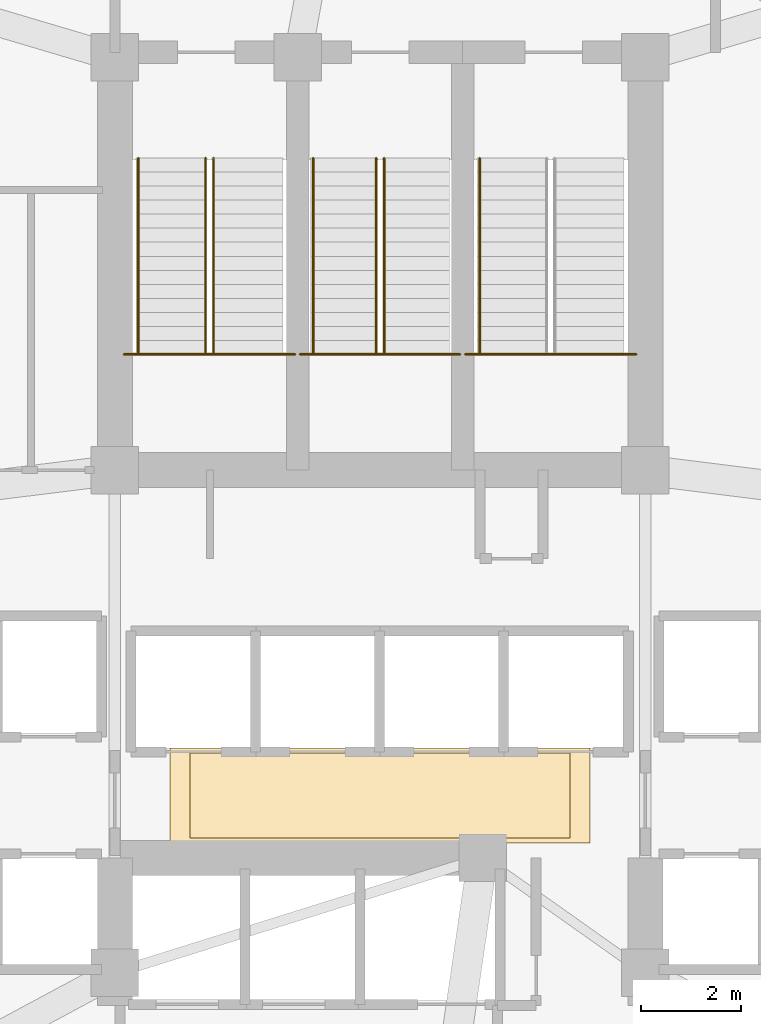
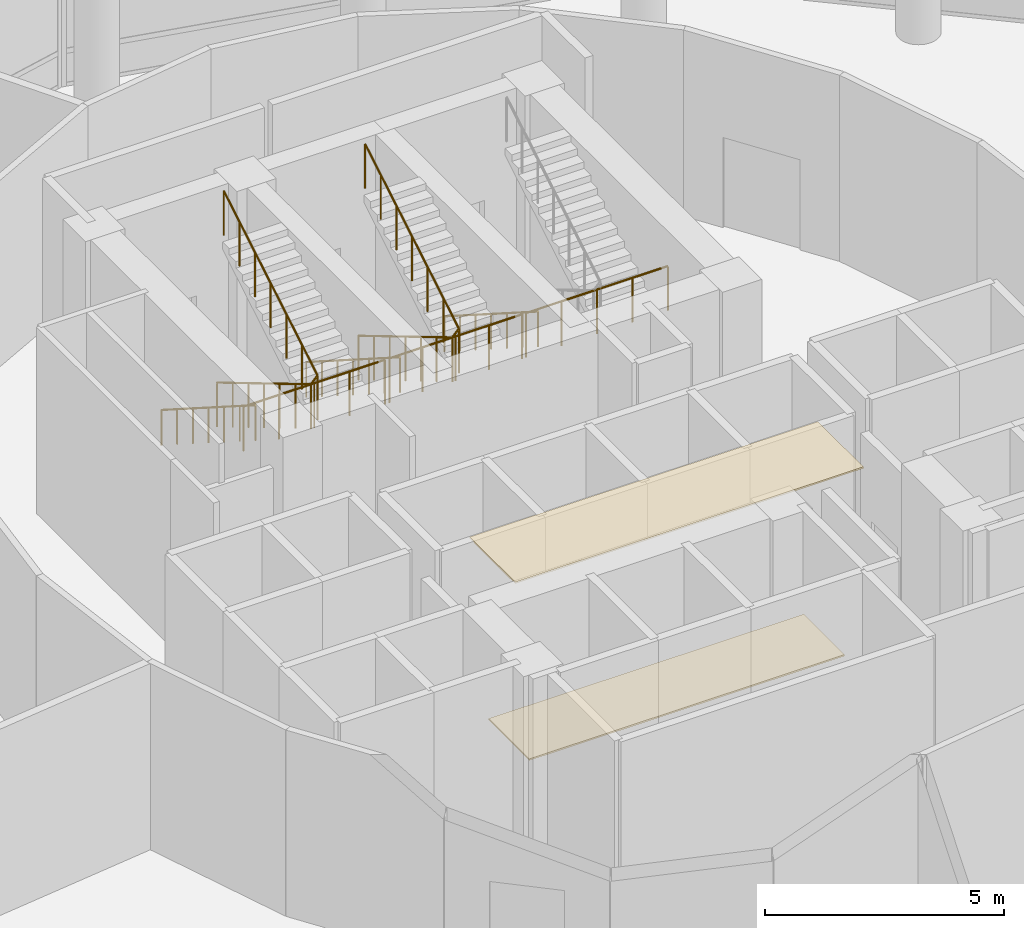
# One storey, part 28 of 29: 8 railings, 2 coverings.
"""IFC4 building model written with IfcOpenShell, lengths in metres."""

import ifcopenshell
import ifcopenshell.guid

model = None  # the IFC model being written
_history = None  # IfcOwnerHistory: only IFC2X3 demands one
_inside = {}  # id of a spatial element -> (the spatial element, [elements in it])
_under = {}  # id of a project, library or spatial element -> (it, [spatial elements below it])
_declared = {}  # id of a project -> (the project, [libraries it declares])
_typed = {}  # id of a type object -> (the type object, [elements of that type])
_made_of = {}  # id of a material, layer set ... -> (it, [elements and type objects made of it])


def new_model(schema):
    """Start an empty IFC model of exactly this schema.

    Asked for "IFC4X3", IfcOpenShell would pick the latest addendum, in which some entities
    have other attributes; the version numbers below select the first issue.
    IFC2X3 requires an IfcOwnerHistory on every rooted entity: one is made here for all.
    """
    global model, _history
    if schema == "IFC4X3":
        model = ifcopenshell.file(schema_version=(4, 3, 0, 0))
    else:
        model = ifcopenshell.file(schema=schema)
    _inside.clear()
    _under.clear()
    _declared.clear()
    _typed.clear()
    _made_of.clear()
    _history = None
    if model.schema == "IFC2X3":
        org = make("IfcOrganization", Name="unknown")
        user = make(
            "IfcPersonAndOrganization",
            ThePerson=make("IfcPerson", FamilyName="unknown"),
            TheOrganization=org,
        )
        app = make(
            "IfcApplication",
            ApplicationDeveloper=org,
            Version="unknown",
            ApplicationFullName="unknown",
            ApplicationIdentifier="unknown",
        )
        _history = make(
            "IfcOwnerHistory",
            OwningUser=user,
            OwningApplication=app,
            ChangeAction="ADDED",
            CreationDate=0,
        )
    return model


def make(cls, **values):
    """One entity of the class cls with the attributes given. An attribute that is None is left unset."""
    return model.create_entity(
        cls, **{name: value for name, value in values.items() if value is not None}
    )


def rooted(cls, **values):
    """An entity with a GlobalId (a new one), such as an element, a storey or a relation."""
    return make(cls, GlobalId=ifcopenshell.guid.new(), OwnerHistory=_history, **values)


def si_unit(unit_type, name, prefix=None):
    """IfcSIUnit, for example si_unit("LENGTHUNIT", "METRE", prefix="MILLI")."""
    return make("IfcSIUnit", UnitType=unit_type, Prefix=prefix, Name=name)


def assignment(units):
    """IfcUnitAssignment: the units of a project."""
    return None if units is None else make("IfcUnitAssignment", Units=units)


def point(xyz):
    """IfcCartesianPoint."""
    return None if xyz is None else make("IfcCartesianPoint", Coordinates=xyz)


def direction(xyz):
    """IfcDirection."""
    return None if xyz is None else make("IfcDirection", DirectionRatios=xyz)


def frame(location, z_axis=None, x_axis=None):
    """IfcAxis2Placement3D, a coordinate frame: its origin and axes. An axis left out is left unset."""
    return make(
        "IfcAxis2Placement3D",
        Location=point(location),
        Axis=direction(z_axis),
        RefDirection=direction(x_axis),
    )


def origin():
    """The frame at (0, 0, 0) with its axes left unset."""
    return frame((0.0, 0.0, 0.0))


def place(relative_to, where):
    """IfcLocalPlacement: puts the frame where relative to a parent placement (None: the world)."""
    return make(
        "IfcLocalPlacement", PlacementRelTo=relative_to, RelativePlacement=where
    )


def context(
    kind, dimensions, precision=None, world=None, true_north=None, identifier=None
):
    """IfcGeometricRepresentationContext, for example the 3D "Model" context."""
    return make(
        "IfcGeometricRepresentationContext",
        ContextIdentifier=identifier,
        ContextType=kind,
        CoordinateSpaceDimension=dimensions,
        Precision=precision,
        WorldCoordinateSystem=world,
        TrueNorth=true_north,
    )


def subcontext(parent, identifier, kind, view, scale=None):
    """IfcGeometricRepresentationSubContext, for example "Body" below "Model"."""
    return make(
        "IfcGeometricRepresentationSubContext",
        ContextIdentifier=identifier,
        ContextType=kind,
        ParentContext=parent,
        TargetScale=scale,
        TargetView=view,
    )


def project(units=None, contexts=None):
    """IfcProject with its units and contexts."""
    return rooted(
        "IfcProject",
        Name="project",
        RepresentationContexts=contexts,
        UnitsInContext=assignment(units),
    )


def spatial(cls, under=None, at=None, **own):
    """A site, building, storey or space (cls), placed at a placement, below another one or the project."""
    s = rooted(cls, ObjectPlacement=at, **own)
    if under is not None:
        _under.setdefault(under.id(), (under, []))[1].append(s)
    return s


def polyline(points):
    """IfcPolyline through the points."""
    return make("IfcPolyline", Points=[point(p) for p in points])


def outline(outer, holes=None, kind="AREA"):
    """IfcArbitraryClosedProfileDef: a profile drawn as a closed curve; with holes, ...WithVoids."""
    if holes is None:
        return make("IfcArbitraryClosedProfileDef", ProfileType=kind, OuterCurve=outer)
    return make(
        "IfcArbitraryProfileDefWithVoids",
        ProfileType=kind,
        OuterCurve=outer,
        InnerCurves=holes,
    )


def extrude(swept, where, along, depth):
    """IfcExtrudedAreaSolid: the profile swept, set in the frame where, extruded along a direction by depth."""
    return make(
        "IfcExtrudedAreaSolid",
        SweptArea=swept,
        Position=where,
        ExtrudedDirection=direction(along),
        Depth=depth,
    )


def shape(context_of_items, identifier, shape_type, items):
    """IfcShapeRepresentation: the items that make up one representation, for example the "Body"."""
    return make(
        "IfcShapeRepresentation",
        ContextOfItems=context_of_items,
        RepresentationIdentifier=identifier,
        RepresentationType=shape_type,
        Items=items,
    )


def material(Name=None, Category=None):
    """IfcMaterial."""
    return make("IfcMaterial", Name=Name, Category=Category)


def layer(
    of_material, thickness, ventilated=None, Name=None, Category=None, Priority=None
):
    """IfcMaterialLayer: one layer of a wall or slab, of a material (None: an air gap)."""
    return make(
        "IfcMaterialLayer",
        Material=of_material,
        LayerThickness=thickness,
        IsVentilated=ventilated,
        Name=Name,
        Category=Category,
        Priority=Priority,
    )


def layer_set(layers, Name=None):
    """IfcMaterialLayerSet."""
    return make("IfcMaterialLayerSet", MaterialLayers=layers, LayerSetName=Name)


def made_of(thing, what):
    """Note that an element or type object is made of a material, layer set ...; save() writes the relation."""
    if what is not None:
        _made_of.setdefault(what.id(), (what, []))[1].append(thing)
    return thing


def type_object(cls, material=None, **own):
    """A type object (cls), such as IfcWallType, which elements share."""
    return made_of(rooted(cls, **own), material)


def element(
    cls,
    number,
    at=None,
    inside=None,
    cuts=None,
    type_object=None,
    material=None,
    context=None,
    identifier="Body",
    shape_type=None,
    held_by="IfcProductDefinitionShape",
    body=None,
    shapes=None,
    **own,
):
    """One element of the class cls, such as IfcWall. Its Tag is "e" and its number.

    at: its placement. inside: the storey or other place that contains it. cuts: it is an
    opening in that element (IfcRelVoidsElement). A single representation is given by context,
    identifier, shape_type and body (its items); several are given by shapes. held_by: the class
    of the entity that holds the representations. save() writes the other relations.
    """
    e = rooted(cls, Tag="e%d" % number, ObjectPlacement=at, **own)
    if body is not None:
        shapes = [shape(context, identifier, shape_type, body)]
    if shapes is not None:
        e.Representation = make(held_by, Representations=shapes)
    if inside is not None:
        _inside.setdefault(inside.id(), (inside, []))[1].append(e)
    if cuts is not None:
        rooted(
            "IfcRelVoidsElement", RelatingBuildingElement=cuts, RelatedOpeningElement=e
        )
    if type_object is not None:
        _typed.setdefault(type_object.id(), (type_object, []))[1].append(e)
    return made_of(e, material)


def aggregate(whole, parts):
    """IfcRelAggregates: a whole, such as a stair, and the parts it consists of."""
    return rooted("IfcRelAggregates", RelatingObject=whole, RelatedObjects=parts)


def save(model, path):
    """Write the relations noted so far, then the file.

    IfcRelAggregates (storeys below a building ...), IfcRelContainedInSpatialStructure (elements
    in a storey), IfcRelDefinesByType, IfcRelAssociatesMaterial and IfcRelDeclares: one each for
    every whole, place, type object, material and project.
    """
    for whole, parts in _under.values():
        aggregate(whole, parts)
    for where, things in _inside.values():
        rooted(
            "IfcRelContainedInSpatialStructure",
            RelatedElements=things,
            RelatingStructure=where,
        )
    for kind, things in _typed.values():
        rooted("IfcRelDefinesByType", RelatedObjects=things, RelatingType=kind)
    for what, things in _made_of.values():
        rooted("IfcRelAssociatesMaterial", RelatedObjects=things, RelatingMaterial=what)
    for by, libraries in _declared.values():
        rooted("IfcRelDeclares", RelatingContext=by, RelatedDefinitions=libraries)
    model.write(path)


model = new_model("IFC4")

# Units and contexts
model_context = context("Model", 3, precision=1e-05, world=origin(), true_north=direction((0.0, 1.0)))
body_context = subcontext(model_context, "Body", "Model", "MODEL_VIEW")
ifc_project = project(units=[si_unit("LENGTHUNIT", "METRE"), si_unit("AREAUNIT", "SQUARE_METRE"), si_unit("VOLUMEUNIT", "CUBIC_METRE"), si_unit("PLANEANGLEUNIT", "RADIAN"), si_unit("MASSUNIT", "GRAM", prefix="KILO")], contexts=[model_context])

# Site, building, storey
site_placement = place(None, origin())
site = spatial("IfcSite", under=ifc_project, at=site_placement, CompositionType="ELEMENT")
building_placement = place(site_placement, origin())
building = spatial("IfcBuilding", under=site, at=building_placement, Name="Nuhasar Tower", CompositionType="ELEMENT")
storey_placement = place(building_placement, frame((0.0, 0.0, 113.25)))
storey = spatial("IfcBuildingStorey", under=building, at=storey_placement, Name="L26", CompositionType="ELEMENT", Elevation=113.25)

# Coverings
ifc_material_1 = material(Name="Mineral Fibre Acoustic", Category="insulation")
ifc_layer_1 = layer(ifc_material_1, 0.0400390625)
ifc_layer_set_1 = layer_set([ifc_layer_1], Name="Mineral Fibre Acoustic")
covering_type_1 = type_object("IfcCoveringType", Name="COV-CEIL-AC60", PredefinedType="CEILING", material=ifc_layer_set_1)
covering_1_placement = place(storey_placement, frame((0.0, 0.0, 4.7099609375)))
element("IfcCovering", 1, at=covering_1_placement, inside=storey, type_object=covering_type_1, Name="L26 Lift Lobby Acoustic Ceiling", PredefinedType="CEILING", context=body_context, shape_type="SweptSolid", body=[
    extrude(outline(polyline([(34.800048828125, 21.60009765625), (43.199951171875, 21.60009765625), (43.199951171875, 23.5), (34.800048828125, 23.5), (34.800048828125, 21.60009765625)])), origin(), (0.0, 0.0, 1.0), 0.0400390625),
])
ifc_material_2 = material(Name="Granite Stone Tile", Category="masonry")
ifc_layer_2 = layer(ifc_material_2, 0.0400390625)
ifc_layer_set_2 = layer_set([ifc_layer_2], Name="Granite Stone Tile")
covering_type_2 = type_object("IfcCoveringType", Name="COV-FLR-STN40", PredefinedType="FLOORING", material=ifc_layer_set_2)
covering_2_placement = place(storey_placement, origin())
element("IfcCovering", 2, at=covering_2_placement, inside=storey, type_object=covering_type_2, Name="L26 Granite Lobby Flooring", PredefinedType="FLOORING", context=body_context, shape_type="SweptSolid", body=[
    extrude(outline(polyline([(35.199951171875, 21.699951171875), (42.800048828125, 21.699951171875), (42.800048828125, 23.39990234375), (35.199951171875, 23.39990234375), (35.199951171875, 21.699951171875)])), origin(), (0.0, 0.0, 1.0), 0.0400390625),
])

# Railings
ifc_material_3 = material(Name="Steel S355", Category="steel")
railing_type_1 = type_object("IfcRailingType", Name="RLG-STAIR-GUARD-1150", PredefinedType="GUARDRAIL", material=ifc_material_3)
railing_1_placement = place(storey_placement, frame((33.8798828125, 31.364990234375, 2.5)))
element("IfcRailing", 3, at=railing_1_placement, inside=storey, type_object=railing_type_1, Name="L26 Stair ST-01 Guardrail LND", PredefinedType="GUARDRAIL", context=body_context, shape_type="SweptSolid", body=[
    extrude(outline(polyline([(0.024169921875, 0.0), (0.01708984375, 0.01708984375), (0.0, 0.024169921875), (-0.01708984375, 0.01708984375), (-0.024169921875, 0.0), (-0.01708984375, -0.01708984375), (0.0, -0.024169921875), (0.01708984375, -0.01708984375), (0.024169921875, 0.0)])), frame((0.0, 0.0, 1.1259765625), z_axis=(1.0, 0.0, 0.0), x_axis=(0.0, 1.0, 0.0)), (0.0, 0.0, 1.0), 3.420166015625),
    extrude(outline(polyline([(0.02099609375, 0.0), (0.014892578125, 0.014892578125), (0.0, 0.02099609375), (-0.014892578125, 0.014892578125), (-0.02099609375, 0.0), (-0.014892578125, -0.014892578125), (0.0, -0.02099609375), (0.014892578125, -0.014892578125), (0.02099609375, 0.0)])), origin(), (0.0, 0.0, 1.0), 1.101806640625),
    extrude(outline(polyline([(0.02099609375, 0.0), (0.014892578125, 0.014892578125), (0.0, 0.02099609375), (-0.014892578125, 0.014892578125), (-0.02099609375, 0.0), (-0.014892578125, -0.014892578125), (0.0, -0.02099609375), (0.014892578125, -0.014892578125), (0.02099609375, 0.0)])), frame((0.85498046875, 0.0, 0.0)), (0.0, 0.0, 1.0), 1.101806640625),
    extrude(outline(polyline([(0.02099609375, 0.0), (0.014892578125, 0.014892578125), (0.0, 0.02099609375), (-0.014892578125, 0.014892578125), (-0.02099609375, 0.0), (-0.014892578125, -0.014892578125), (0.0, -0.02099609375), (0.014892578125, -0.014892578125), (0.02099609375, 0.0)])), frame((1.7099609375, 0.0, 0.0)), (0.0, 0.0, 1.0), 1.101806640625),
    extrude(outline(polyline([(0.02099609375, 0.0), (0.014892578125, 0.014892578125), (0.0, 0.02099609375), (-0.014892578125, 0.014892578125), (-0.02099609375, 0.0), (-0.014892578125, -0.014892578125), (0.0, -0.02099609375), (0.014892578125, -0.014892578125), (0.02099609375, 0.0)])), frame((2.565185546875, 0.0, 0.0)), (0.0, 0.0, 1.0), 1.101806640625),
    extrude(outline(polyline([(0.02099609375, 0.0), (0.014892578125, 0.014892578125), (0.0, 0.02099609375), (-0.014892578125, 0.014892578125), (-0.02099609375, 0.0), (-0.014892578125, -0.014892578125), (0.0, -0.02099609375), (0.014892578125, -0.014892578125), (0.02099609375, 0.0)])), frame((3.420166015625, 0.0, 0.0)), (0.0, 0.0, 1.0), 1.101806640625),
])
railing_2_placement = place(storey_placement, frame((35.510009765625, 35.284912109375, 0.1669921875)))
element("IfcRailing", 4, at=railing_2_placement, inside=storey, type_object=railing_type_1, Name="L26 Stair ST-01 Guardrail SLT", PredefinedType="GUARDRAIL", context=body_context, shape_type="SweptSolid", body=[
    extrude(outline(polyline([(0.024169921875, 0.0), (0.01708984375, 0.01708984375), (0.0, 0.024169921875), (-0.01708984375, 0.01708984375), (-0.024169921875, 0.0), (-0.01708984375, -0.01708984375), (0.0, -0.024169921875), (0.01708984375, -0.01708984375), (0.024169921875, 0.0)])), frame((0.0, 0.0, 1.1259765625), z_axis=(0.0, -0.85931976652, 0.511438695121), x_axis=(1.0, 0.0, 0.0)), (0.0, 0.0, 1.0), 4.561767578125),
    extrude(outline(polyline([(0.024169921875, 0.0), (0.01708984375, 0.01708984375), (0.0, 0.024169921875), (-0.01708984375, 0.01708984375), (-0.024169921875, 0.0), (-0.01708984375, -0.01708984375), (0.0, -0.024169921875), (0.01708984375, -0.01708984375), (0.024169921875, 0.0)])), frame((0.0, -3.919921875, 3.458984375), z_axis=(0.691630103864, 0.0, 0.722251894722), x_axis=(0.0, 1.0, 0.0)), (0.0, 0.0, 1.0), 0.231201171875),
    extrude(outline(polyline([(0.024169921875, 0.0), (0.01708984375, 0.01708984375), (0.0, 0.024169921875), (-0.01708984375, 0.01708984375), (-0.024169921875, 0.0), (-0.01708984375, -0.01708984375), (0.0, -0.024169921875), (0.01708984375, -0.01708984375), (0.024169921875, 0.0)])), frame((0.159912109375, -3.919921875, 3.6259765625), z_axis=(0.0, 0.85931976652, 0.511438695121), x_axis=(-1.0, 0.0, 0.0)), (0.0, 0.0, 1.0), 4.561767578125),
    extrude(outline(polyline([(0.02099609375, 0.0), (0.014892578125, 0.014892578125), (0.0, 0.02099609375), (-0.014892578125, 0.014892578125), (-0.02099609375, 0.0), (-0.014892578125, -0.014892578125), (0.0, -0.02099609375), (0.014892578125, -0.014892578125), (0.02099609375, 0.0)])), origin(), (0.0, 0.0, 1.0), 1.101806640625),
    extrude(outline(polyline([(0.02099609375, 0.0), (0.014892578125, 0.014892578125), (0.0, 0.02099609375), (-0.014892578125, 0.014892578125), (-0.02099609375, 0.0), (-0.014892578125, -0.014892578125), (0.0, -0.02099609375), (0.014892578125, -0.014892578125), (0.02099609375, 0.0)])), frame((0.0, -0.6533203125, 0.388916015625)), (0.0, 0.0, 1.0), 1.101806640625),
    extrude(outline(polyline([(0.02099609375, 0.0), (0.014892578125, 0.014892578125), (0.0, 0.02099609375), (-0.014892578125, 0.014892578125), (-0.02099609375, 0.0), (-0.014892578125, -0.014892578125), (0.0, -0.02099609375), (0.014892578125, -0.014892578125), (0.02099609375, 0.0)])), frame((0.0, -1.306640625, 0.777587890625)), (0.0, 0.0, 1.0), 1.101806640625),
    extrude(outline(polyline([(0.02099609375, 0.0), (0.014892578125, 0.014892578125), (0.0, 0.02099609375), (-0.014892578125, 0.014892578125), (-0.02099609375, 0.0), (-0.014892578125, -0.014892578125), (0.0, -0.02099609375), (0.014892578125, -0.014892578125), (0.02099609375, 0.0)])), frame((0.0, -1.9599609375, 1.16650390625)), (0.0, 0.0, 1.0), 1.101806640625),
    extrude(outline(polyline([(0.02099609375, 0.0), (0.014892578125, 0.014892578125), (0.0, 0.02099609375), (-0.014892578125, 0.014892578125), (-0.02099609375, 0.0), (-0.014892578125, -0.014892578125), (0.0, -0.02099609375), (0.014892578125, -0.014892578125), (0.02099609375, 0.0)])), frame((0.0, -2.61328125, 1.555419921875)), (0.0, 0.0, 1.0), 1.101806640625),
    extrude(outline(polyline([(0.02099609375, 0.0), (0.014892578125, 0.014892578125), (0.0, 0.02099609375), (-0.014892578125, 0.014892578125), (-0.02099609375, 0.0), (-0.014892578125, -0.014892578125), (0.0, -0.02099609375), (0.014892578125, -0.014892578125), (0.02099609375, 0.0)])), frame((0.0, -3.2666015625, 1.944091796875)), (0.0, 0.0, 1.0), 1.101806640625),
    extrude(outline(polyline([(0.02099609375, 0.0), (0.014892578125, 0.014892578125), (0.0, 0.02099609375), (-0.014892578125, 0.014892578125), (-0.02099609375, 0.0), (-0.014892578125, -0.014892578125), (0.0, -0.02099609375), (0.014892578125, -0.014892578125), (0.02099609375, 0.0)])), frame((0.0, -3.919921875, 2.3330078125)), (0.0, 0.0, 1.0), 1.101806640625),
    extrude(outline(polyline([(0.02099609375, 0.0), (0.014892578125, 0.014892578125), (0.0, 0.02099609375), (-0.014892578125, 0.014892578125), (-0.02099609375, 0.0), (-0.014892578125, -0.014892578125), (0.0, -0.02099609375), (0.014892578125, -0.014892578125), (0.02099609375, 0.0)])), frame((0.159912109375, -3.919921875, 2.5)), (0.0, 0.0, 1.0), 1.101806640625),
    extrude(outline(polyline([(0.02099609375, 0.0), (0.014892578125, 0.014892578125), (0.0, 0.02099609375), (-0.014892578125, 0.014892578125), (-0.02099609375, 0.0), (-0.014892578125, -0.014892578125), (0.0, -0.02099609375), (0.014892578125, -0.014892578125), (0.02099609375, 0.0)])), frame((0.159912109375, -3.2666015625, 2.888916015625)), (0.0, 0.0, 1.0), 1.101806640625),
    extrude(outline(polyline([(0.02099609375, 0.0), (0.014892578125, 0.014892578125), (0.0, 0.02099609375), (-0.014892578125, 0.014892578125), (-0.02099609375, 0.0), (-0.014892578125, -0.014892578125), (0.0, -0.02099609375), (0.014892578125, -0.014892578125), (0.02099609375, 0.0)])), frame((0.159912109375, -2.61328125, 3.277587890625)), (0.0, 0.0, 1.0), 1.101806640625),
    extrude(outline(polyline([(0.02099609375, 0.0), (0.014892578125, 0.014892578125), (0.0, 0.02099609375), (-0.014892578125, 0.014892578125), (-0.02099609375, 0.0), (-0.014892578125, -0.014892578125), (0.0, -0.02099609375), (0.014892578125, -0.014892578125), (0.02099609375, 0.0)])), frame((0.159912109375, -1.9599609375, 3.66650390625)), (0.0, 0.0, 1.0), 1.101806640625),
    extrude(outline(polyline([(0.02099609375, 0.0), (0.014892578125, 0.014892578125), (0.0, 0.02099609375), (-0.014892578125, 0.014892578125), (-0.02099609375, 0.0), (-0.014892578125, -0.014892578125), (0.0, -0.02099609375), (0.014892578125, -0.014892578125), (0.02099609375, 0.0)])), frame((0.159912109375, -1.306640625, 4.055419921875)), (0.0, 0.0, 1.0), 1.101806640625),
    extrude(outline(polyline([(0.02099609375, 0.0), (0.014892578125, 0.014892578125), (0.0, 0.02099609375), (-0.014892578125, 0.014892578125), (-0.02099609375, 0.0), (-0.014892578125, -0.014892578125), (0.0, -0.02099609375), (0.014892578125, -0.014892578125), (0.02099609375, 0.0)])), frame((0.159912109375, -0.6533203125, 4.444091796875)), (0.0, 0.0, 1.0), 1.101806640625),
    extrude(outline(polyline([(0.02099609375, 0.0), (0.014892578125, 0.014892578125), (0.0, 0.02099609375), (-0.014892578125, 0.014892578125), (-0.02099609375, 0.0), (-0.014892578125, -0.014892578125), (0.0, -0.02099609375), (0.014892578125, -0.014892578125), (0.02099609375, 0.0)])), frame((0.159912109375, 0.0, 4.8330078125)), (0.0, 0.0, 1.0), 1.101806640625),
])
railing_3_placement = place(storey_placement, frame((37.39990234375, 31.364990234375, 2.5)))
element("IfcRailing", 5, at=railing_3_placement, inside=storey, type_object=railing_type_1, Name="L26 Stair ST-03 Guardrail LND", PredefinedType="GUARDRAIL", context=body_context, shape_type="SweptSolid", body=[
    extrude(outline(polyline([(0.024169921875, 0.0), (0.01708984375, 0.01708984375), (0.0, 0.024169921875), (-0.01708984375, 0.01708984375), (-0.024169921875, 0.0), (-0.01708984375, -0.01708984375), (0.0, -0.024169921875), (0.01708984375, -0.01708984375), (0.024169921875, 0.0)])), frame((0.0, 0.0, 1.1259765625), z_axis=(1.0, 0.0, 0.0), x_axis=(0.0, 1.0, 0.0)), (0.0, 0.0, 1.0), 3.2001953125),
    extrude(outline(polyline([(0.02099609375, 0.0), (0.014892578125, 0.014892578125), (0.0, 0.02099609375), (-0.014892578125, 0.014892578125), (-0.02099609375, 0.0), (-0.014892578125, -0.014892578125), (0.0, -0.02099609375), (0.014892578125, -0.014892578125), (0.02099609375, 0.0)])), origin(), (0.0, 0.0, 1.0), 1.101806640625),
    extrude(outline(polyline([(0.02099609375, 0.0), (0.014892578125, 0.014892578125), (0.0, 0.02099609375), (-0.014892578125, 0.014892578125), (-0.02099609375, 0.0), (-0.014892578125, -0.014892578125), (0.0, -0.02099609375), (0.014892578125, -0.014892578125), (0.02099609375, 0.0)])), frame((0.800048828125, 0.0, 0.0)), (0.0, 0.0, 1.0), 1.101806640625),
    extrude(outline(polyline([(0.02099609375, 0.0), (0.014892578125, 0.014892578125), (0.0, 0.02099609375), (-0.014892578125, 0.014892578125), (-0.02099609375, 0.0), (-0.014892578125, -0.014892578125), (0.0, -0.02099609375), (0.014892578125, -0.014892578125), (0.02099609375, 0.0)])), frame((1.60009765625, 0.0, 0.0)), (0.0, 0.0, 1.0), 1.101806640625),
    extrude(outline(polyline([(0.02099609375, 0.0), (0.014892578125, 0.014892578125), (0.0, 0.02099609375), (-0.014892578125, 0.014892578125), (-0.02099609375, 0.0), (-0.014892578125, -0.014892578125), (0.0, -0.02099609375), (0.014892578125, -0.014892578125), (0.02099609375, 0.0)])), frame((2.400146484375, 0.0, 0.0)), (0.0, 0.0, 1.0), 1.101806640625),
    extrude(outline(polyline([(0.02099609375, 0.0), (0.014892578125, 0.014892578125), (0.0, 0.02099609375), (-0.014892578125, 0.014892578125), (-0.02099609375, 0.0), (-0.014892578125, -0.014892578125), (0.0, -0.02099609375), (0.014892578125, -0.014892578125), (0.02099609375, 0.0)])), frame((3.2001953125, 0.0, 0.0)), (0.0, 0.0, 1.0), 1.101806640625),
])
railing_4_placement = place(storey_placement, frame((38.919921875, 35.284912109375, 0.1669921875)))
element("IfcRailing", 6, at=railing_4_placement, inside=storey, type_object=railing_type_1, Name="L26 Stair ST-03 Guardrail SLT", PredefinedType="GUARDRAIL", context=body_context, shape_type="SweptSolid", body=[
    extrude(outline(polyline([(0.024169921875, 0.0), (0.01708984375, 0.01708984375), (0.0, 0.024169921875), (-0.01708984375, 0.01708984375), (-0.024169921875, 0.0), (-0.01708984375, -0.01708984375), (0.0, -0.024169921875), (0.01708984375, -0.01708984375), (0.024169921875, 0.0)])), frame((0.0, 0.0, 1.1259765625), z_axis=(0.0, -0.85931976652, 0.511438695121), x_axis=(1.0, 0.0, 0.0)), (0.0, 0.0, 1.0), 4.561767578125),
    extrude(outline(polyline([(0.024169921875, 0.0), (0.01708984375, 0.01708984375), (0.0, 0.024169921875), (-0.01708984375, 0.01708984375), (-0.024169921875, 0.0), (-0.01708984375, -0.01708984375), (0.0, -0.024169921875), (0.01708984375, -0.01708984375), (0.024169921875, 0.0)])), frame((0.0, -3.919921875, 3.458984375), z_axis=(0.692180321226, 0.0, 0.72172460323), x_axis=(0.0, 1.0, 0.0)), (0.0, 0.0, 1.0), 0.2314453125),
    extrude(outline(polyline([(0.024169921875, 0.0), (0.01708984375, 0.01708984375), (0.0, 0.024169921875), (-0.01708984375, 0.01708984375), (-0.024169921875, 0.0), (-0.01708984375, -0.01708984375), (0.0, -0.024169921875), (0.01708984375, -0.01708984375), (0.024169921875, 0.0)])), frame((0.16015625, -3.919921875, 3.6259765625), z_axis=(0.0, 0.85931976652, 0.511438695121), x_axis=(-1.0, 0.0, 0.0)), (0.0, 0.0, 1.0), 4.561767578125),
    extrude(outline(polyline([(0.02099609375, 0.0), (0.014892578125, 0.014892578125), (0.0, 0.02099609375), (-0.014892578125, 0.014892578125), (-0.02099609375, 0.0), (-0.014892578125, -0.014892578125), (0.0, -0.02099609375), (0.014892578125, -0.014892578125), (0.02099609375, 0.0)])), origin(), (0.0, 0.0, 1.0), 1.101806640625),
    extrude(outline(polyline([(0.02099609375, 0.0), (0.014892578125, 0.014892578125), (0.0, 0.02099609375), (-0.014892578125, 0.014892578125), (-0.02099609375, 0.0), (-0.014892578125, -0.014892578125), (0.0, -0.02099609375), (0.014892578125, -0.014892578125), (0.02099609375, 0.0)])), frame((0.0, -0.6533203125, 0.388916015625)), (0.0, 0.0, 1.0), 1.101806640625),
    extrude(outline(polyline([(0.02099609375, 0.0), (0.014892578125, 0.014892578125), (0.0, 0.02099609375), (-0.014892578125, 0.014892578125), (-0.02099609375, 0.0), (-0.014892578125, -0.014892578125), (0.0, -0.02099609375), (0.014892578125, -0.014892578125), (0.02099609375, 0.0)])), frame((0.0, -1.306640625, 0.777587890625)), (0.0, 0.0, 1.0), 1.101806640625),
    extrude(outline(polyline([(0.02099609375, 0.0), (0.014892578125, 0.014892578125), (0.0, 0.02099609375), (-0.014892578125, 0.014892578125), (-0.02099609375, 0.0), (-0.014892578125, -0.014892578125), (0.0, -0.02099609375), (0.014892578125, -0.014892578125), (0.02099609375, 0.0)])), frame((0.0, -1.9599609375, 1.16650390625)), (0.0, 0.0, 1.0), 1.101806640625),
    extrude(outline(polyline([(0.02099609375, 0.0), (0.014892578125, 0.014892578125), (0.0, 0.02099609375), (-0.014892578125, 0.014892578125), (-0.02099609375, 0.0), (-0.014892578125, -0.014892578125), (0.0, -0.02099609375), (0.014892578125, -0.014892578125), (0.02099609375, 0.0)])), frame((0.0, -2.61328125, 1.555419921875)), (0.0, 0.0, 1.0), 1.101806640625),
    extrude(outline(polyline([(0.02099609375, 0.0), (0.014892578125, 0.014892578125), (0.0, 0.02099609375), (-0.014892578125, 0.014892578125), (-0.02099609375, 0.0), (-0.014892578125, -0.014892578125), (0.0, -0.02099609375), (0.014892578125, -0.014892578125), (0.02099609375, 0.0)])), frame((0.0, -3.2666015625, 1.944091796875)), (0.0, 0.0, 1.0), 1.101806640625),
    extrude(outline(polyline([(0.02099609375, 0.0), (0.014892578125, 0.014892578125), (0.0, 0.02099609375), (-0.014892578125, 0.014892578125), (-0.02099609375, 0.0), (-0.014892578125, -0.014892578125), (0.0, -0.02099609375), (0.014892578125, -0.014892578125), (0.02099609375, 0.0)])), frame((0.0, -3.919921875, 2.3330078125)), (0.0, 0.0, 1.0), 1.101806640625),
    extrude(outline(polyline([(0.02099609375, 0.0), (0.014892578125, 0.014892578125), (0.0, 0.02099609375), (-0.014892578125, 0.014892578125), (-0.02099609375, 0.0), (-0.014892578125, -0.014892578125), (0.0, -0.02099609375), (0.014892578125, -0.014892578125), (0.02099609375, 0.0)])), frame((0.16015625, -3.919921875, 2.5)), (0.0, 0.0, 1.0), 1.101806640625),
    extrude(outline(polyline([(0.02099609375, 0.0), (0.014892578125, 0.014892578125), (0.0, 0.02099609375), (-0.014892578125, 0.014892578125), (-0.02099609375, 0.0), (-0.014892578125, -0.014892578125), (0.0, -0.02099609375), (0.014892578125, -0.014892578125), (0.02099609375, 0.0)])), frame((0.16015625, -3.2666015625, 2.888916015625)), (0.0, 0.0, 1.0), 1.101806640625),
    extrude(outline(polyline([(0.02099609375, 0.0), (0.014892578125, 0.014892578125), (0.0, 0.02099609375), (-0.014892578125, 0.014892578125), (-0.02099609375, 0.0), (-0.014892578125, -0.014892578125), (0.0, -0.02099609375), (0.014892578125, -0.014892578125), (0.02099609375, 0.0)])), frame((0.16015625, -2.61328125, 3.277587890625)), (0.0, 0.0, 1.0), 1.101806640625),
    extrude(outline(polyline([(0.02099609375, 0.0), (0.014892578125, 0.014892578125), (0.0, 0.02099609375), (-0.014892578125, 0.014892578125), (-0.02099609375, 0.0), (-0.014892578125, -0.014892578125), (0.0, -0.02099609375), (0.014892578125, -0.014892578125), (0.02099609375, 0.0)])), frame((0.16015625, -1.9599609375, 3.66650390625)), (0.0, 0.0, 1.0), 1.101806640625),
    extrude(outline(polyline([(0.02099609375, 0.0), (0.014892578125, 0.014892578125), (0.0, 0.02099609375), (-0.014892578125, 0.014892578125), (-0.02099609375, 0.0), (-0.014892578125, -0.014892578125), (0.0, -0.02099609375), (0.014892578125, -0.014892578125), (0.02099609375, 0.0)])), frame((0.16015625, -1.306640625, 4.055419921875)), (0.0, 0.0, 1.0), 1.101806640625),
    extrude(outline(polyline([(0.02099609375, 0.0), (0.014892578125, 0.014892578125), (0.0, 0.02099609375), (-0.014892578125, 0.014892578125), (-0.02099609375, 0.0), (-0.014892578125, -0.014892578125), (0.0, -0.02099609375), (0.014892578125, -0.014892578125), (0.02099609375, 0.0)])), frame((0.16015625, -0.6533203125, 4.444091796875)), (0.0, 0.0, 1.0), 1.101806640625),
    extrude(outline(polyline([(0.02099609375, 0.0), (0.014892578125, 0.014892578125), (0.0, 0.02099609375), (-0.014892578125, 0.014892578125), (-0.02099609375, 0.0), (-0.014892578125, -0.014892578125), (0.0, -0.02099609375), (0.014892578125, -0.014892578125), (0.02099609375, 0.0)])), frame((0.16015625, 0.0, 4.8330078125)), (0.0, 0.0, 1.0), 1.101806640625),
])
railing_5_placement = place(storey_placement, frame((40.699951171875, 31.364990234375, 2.5)))
element("IfcRailing", 7, at=railing_5_placement, inside=storey, type_object=railing_type_1, Name="L26 Stair ST-02 Guardrail LND", PredefinedType="GUARDRAIL", context=body_context, shape_type="SweptSolid", body=[
    extrude(outline(polyline([(0.024169921875, 0.0), (0.01708984375, 0.01708984375), (0.0, 0.024169921875), (-0.01708984375, 0.01708984375), (-0.024169921875, 0.0), (-0.01708984375, -0.01708984375), (0.0, -0.024169921875), (0.01708984375, -0.01708984375), (0.024169921875, 0.0)])), frame((0.0, 0.0, 1.1259765625), z_axis=(1.0, 0.0, 0.0), x_axis=(0.0, 1.0, 0.0)), (0.0, 0.0, 1.0), 3.420166015625),
    extrude(outline(polyline([(0.02099609375, 0.0), (0.014892578125, 0.014892578125), (0.0, 0.02099609375), (-0.014892578125, 0.014892578125), (-0.02099609375, 0.0), (-0.014892578125, -0.014892578125), (0.0, -0.02099609375), (0.014892578125, -0.014892578125), (0.02099609375, 0.0)])), origin(), (0.0, 0.0, 1.0), 1.101806640625),
    extrude(outline(polyline([(0.02099609375, 0.0), (0.014892578125, 0.014892578125), (0.0, 0.02099609375), (-0.014892578125, 0.014892578125), (-0.02099609375, 0.0), (-0.014892578125, -0.014892578125), (0.0, -0.02099609375), (0.014892578125, -0.014892578125), (0.02099609375, 0.0)])), frame((0.85498046875, 0.0, 0.0)), (0.0, 0.0, 1.0), 1.101806640625),
    extrude(outline(polyline([(0.02099609375, 0.0), (0.014892578125, 0.014892578125), (0.0, 0.02099609375), (-0.014892578125, 0.014892578125), (-0.02099609375, 0.0), (-0.014892578125, -0.014892578125), (0.0, -0.02099609375), (0.014892578125, -0.014892578125), (0.02099609375, 0.0)])), frame((1.7099609375, 0.0, 0.0)), (0.0, 0.0, 1.0), 1.101806640625),
    extrude(outline(polyline([(0.02099609375, 0.0), (0.014892578125, 0.014892578125), (0.0, 0.02099609375), (-0.014892578125, 0.014892578125), (-0.02099609375, 0.0), (-0.014892578125, -0.014892578125), (0.0, -0.02099609375), (0.014892578125, -0.014892578125), (0.02099609375, 0.0)])), frame((2.565185546875, 0.0, 0.0)), (0.0, 0.0, 1.0), 1.101806640625),
    extrude(outline(polyline([(0.02099609375, 0.0), (0.014892578125, 0.014892578125), (0.0, 0.02099609375), (-0.014892578125, 0.014892578125), (-0.02099609375, 0.0), (-0.014892578125, -0.014892578125), (0.0, -0.02099609375), (0.014892578125, -0.014892578125), (0.02099609375, 0.0)])), frame((3.420166015625, 0.0, 0.0)), (0.0, 0.0, 1.0), 1.101806640625),
])
ifc_material_4 = material(Name="Stainless Steel 316L", Category="steel")
railing_type_2 = type_object("IfcRailingType", Name="RLG-STAIR-HAND-920", PredefinedType="HANDRAIL", material=ifc_material_4)
railing_6_placement = place(storey_placement, frame((34.169921875, 35.284912109375, 0.1669921875)))
element("IfcRailing", 8, at=railing_6_placement, inside=storey, type_object=railing_type_2, Name="L26 Stair ST-01 Handrail HND1", PredefinedType="HANDRAIL", context=body_context, shape_type="SweptSolid", body=[
    extrude(outline(polyline([(0.024169921875, 0.0), (0.01708984375, 0.01708984375), (0.0, 0.024169921875), (-0.01708984375, 0.01708984375), (-0.024169921875, 0.0), (-0.01708984375, -0.01708984375), (0.0, -0.024169921875), (0.01708984375, -0.01708984375), (0.024169921875, 0.0)])), frame((0.0, 0.0, 0.89599609375), z_axis=(0.0, -0.843124831705, 0.537717879712), x_axis=(1.0, 0.0, 0.0)), (0.0, 0.0, 1.0), 4.649169921875),
    extrude(outline(polyline([(0.02099609375, 0.0), (0.014892578125, 0.014892578125), (0.0, 0.02099609375), (-0.014892578125, 0.014892578125), (-0.02099609375, 0.0), (-0.014892578125, -0.014892578125), (0.0, -0.02099609375), (0.014892578125, -0.014892578125), (0.02099609375, 0.0)])), origin(), (0.0, 0.0, 1.0), 0.871826171875),
    extrude(outline(polyline([(0.02099609375, 0.0), (0.014892578125, 0.014892578125), (0.0, 0.02099609375), (-0.014892578125, 0.014892578125), (-0.02099609375, 0.0), (-0.014892578125, -0.014892578125), (0.0, -0.02099609375), (0.014892578125, -0.014892578125), (0.02099609375, 0.0)])), frame((0.0, -0.6533203125, 0.416748046875)), (0.0, 0.0, 1.0), 0.871826171875),
    extrude(outline(polyline([(0.02099609375, 0.0), (0.014892578125, 0.014892578125), (0.0, 0.02099609375), (-0.014892578125, 0.014892578125), (-0.02099609375, 0.0), (-0.014892578125, -0.014892578125), (0.0, -0.02099609375), (0.014892578125, -0.014892578125), (0.02099609375, 0.0)])), frame((0.0, -1.306640625, 0.833251953125)), (0.0, 0.0, 1.0), 0.871826171875),
    extrude(outline(polyline([(0.02099609375, 0.0), (0.014892578125, 0.014892578125), (0.0, 0.02099609375), (-0.014892578125, 0.014892578125), (-0.02099609375, 0.0), (-0.014892578125, -0.014892578125), (0.0, -0.02099609375), (0.014892578125, -0.014892578125), (0.02099609375, 0.0)])), frame((0.0, -1.9599609375, 1.25)), (0.0, 0.0, 1.0), 0.871826171875),
    extrude(outline(polyline([(0.02099609375, 0.0), (0.014892578125, 0.014892578125), (0.0, 0.02099609375), (-0.014892578125, 0.014892578125), (-0.02099609375, 0.0), (-0.014892578125, -0.014892578125), (0.0, -0.02099609375), (0.014892578125, -0.014892578125), (0.02099609375, 0.0)])), frame((0.0, -2.61328125, 1.666748046875)), (0.0, 0.0, 1.0), 0.871826171875),
    extrude(outline(polyline([(0.02099609375, 0.0), (0.014892578125, 0.014892578125), (0.0, 0.02099609375), (-0.014892578125, 0.014892578125), (-0.02099609375, 0.0), (-0.014892578125, -0.014892578125), (0.0, -0.02099609375), (0.014892578125, -0.014892578125), (0.02099609375, 0.0)])), frame((0.0, -3.2666015625, 2.083251953125)), (0.0, 0.0, 1.0), 0.871826171875),
    extrude(outline(polyline([(0.02099609375, 0.0), (0.014892578125, 0.014892578125), (0.0, 0.02099609375), (-0.014892578125, 0.014892578125), (-0.02099609375, 0.0), (-0.014892578125, -0.014892578125), (0.0, -0.02099609375), (0.014892578125, -0.014892578125), (0.02099609375, 0.0)])), frame((0.0, -3.919921875, 2.5)), (0.0, 0.0, 1.0), 0.871826171875),
])
railing_7_placement = place(storey_placement, frame((37.659912109375, 35.284912109375, 0.1669921875)))
element("IfcRailing", 9, at=railing_7_placement, inside=storey, type_object=railing_type_2, Name="L26 Stair ST-03 Handrail HND1", PredefinedType="HANDRAIL", context=body_context, shape_type="SweptSolid", body=[
    extrude(outline(polyline([(0.024169921875, 0.0), (0.01708984375, 0.01708984375), (0.0, 0.024169921875), (-0.01708984375, 0.01708984375), (-0.024169921875, 0.0), (-0.01708984375, -0.01708984375), (0.0, -0.024169921875), (0.01708984375, -0.01708984375), (0.024169921875, 0.0)])), frame((0.0, 0.0, 0.89599609375), z_axis=(0.0, -0.843124831705, 0.537717879712), x_axis=(1.0, 0.0, 0.0)), (0.0, 0.0, 1.0), 4.649169921875),
    extrude(outline(polyline([(0.02099609375, 0.0), (0.014892578125, 0.014892578125), (0.0, 0.02099609375), (-0.014892578125, 0.014892578125), (-0.02099609375, 0.0), (-0.014892578125, -0.014892578125), (0.0, -0.02099609375), (0.014892578125, -0.014892578125), (0.02099609375, 0.0)])), origin(), (0.0, 0.0, 1.0), 0.871826171875),
    extrude(outline(polyline([(0.02099609375, 0.0), (0.014892578125, 0.014892578125), (0.0, 0.02099609375), (-0.014892578125, 0.014892578125), (-0.02099609375, 0.0), (-0.014892578125, -0.014892578125), (0.0, -0.02099609375), (0.014892578125, -0.014892578125), (0.02099609375, 0.0)])), frame((0.0, -0.6533203125, 0.416748046875)), (0.0, 0.0, 1.0), 0.871826171875),
    extrude(outline(polyline([(0.02099609375, 0.0), (0.014892578125, 0.014892578125), (0.0, 0.02099609375), (-0.014892578125, 0.014892578125), (-0.02099609375, 0.0), (-0.014892578125, -0.014892578125), (0.0, -0.02099609375), (0.014892578125, -0.014892578125), (0.02099609375, 0.0)])), frame((0.0, -1.306640625, 0.833251953125)), (0.0, 0.0, 1.0), 0.871826171875),
    extrude(outline(polyline([(0.02099609375, 0.0), (0.014892578125, 0.014892578125), (0.0, 0.02099609375), (-0.014892578125, 0.014892578125), (-0.02099609375, 0.0), (-0.014892578125, -0.014892578125), (0.0, -0.02099609375), (0.014892578125, -0.014892578125), (0.02099609375, 0.0)])), frame((0.0, -1.9599609375, 1.25)), (0.0, 0.0, 1.0), 0.871826171875),
    extrude(outline(polyline([(0.02099609375, 0.0), (0.014892578125, 0.014892578125), (0.0, 0.02099609375), (-0.014892578125, 0.014892578125), (-0.02099609375, 0.0), (-0.014892578125, -0.014892578125), (0.0, -0.02099609375), (0.014892578125, -0.014892578125), (0.02099609375, 0.0)])), frame((0.0, -2.61328125, 1.666748046875)), (0.0, 0.0, 1.0), 0.871826171875),
    extrude(outline(polyline([(0.02099609375, 0.0), (0.014892578125, 0.014892578125), (0.0, 0.02099609375), (-0.014892578125, 0.014892578125), (-0.02099609375, 0.0), (-0.014892578125, -0.014892578125), (0.0, -0.02099609375), (0.014892578125, -0.014892578125), (0.02099609375, 0.0)])), frame((0.0, -3.2666015625, 2.083251953125)), (0.0, 0.0, 1.0), 0.871826171875),
    extrude(outline(polyline([(0.02099609375, 0.0), (0.014892578125, 0.014892578125), (0.0, 0.02099609375), (-0.014892578125, 0.014892578125), (-0.02099609375, 0.0), (-0.014892578125, -0.014892578125), (0.0, -0.02099609375), (0.014892578125, -0.014892578125), (0.02099609375, 0.0)])), frame((0.0, -3.919921875, 2.5)), (0.0, 0.0, 1.0), 0.871826171875),
])
railing_8_placement = place(storey_placement, frame((40.989990234375, 35.284912109375, 0.1669921875)))
element("IfcRailing", 10, at=railing_8_placement, inside=storey, type_object=railing_type_2, Name="L26 Stair ST-02 Handrail HND1", PredefinedType="HANDRAIL", context=body_context, shape_type="SweptSolid", body=[
    extrude(outline(polyline([(0.024169921875, 0.0), (0.01708984375, 0.01708984375), (0.0, 0.024169921875), (-0.01708984375, 0.01708984375), (-0.024169921875, 0.0), (-0.01708984375, -0.01708984375), (0.0, -0.024169921875), (0.01708984375, -0.01708984375), (0.024169921875, 0.0)])), frame((0.0, 0.0, 0.89599609375), z_axis=(0.0, -0.843124831705, 0.537717879712), x_axis=(1.0, 0.0, 0.0)), (0.0, 0.0, 1.0), 4.649169921875),
    extrude(outline(polyline([(0.02099609375, 0.0), (0.014892578125, 0.014892578125), (0.0, 0.02099609375), (-0.014892578125, 0.014892578125), (-0.02099609375, 0.0), (-0.014892578125, -0.014892578125), (0.0, -0.02099609375), (0.014892578125, -0.014892578125), (0.02099609375, 0.0)])), origin(), (0.0, 0.0, 1.0), 0.871826171875),
    extrude(outline(polyline([(0.02099609375, 0.0), (0.014892578125, 0.014892578125), (0.0, 0.02099609375), (-0.014892578125, 0.014892578125), (-0.02099609375, 0.0), (-0.014892578125, -0.014892578125), (0.0, -0.02099609375), (0.014892578125, -0.014892578125), (0.02099609375, 0.0)])), frame((0.0, -0.6533203125, 0.416748046875)), (0.0, 0.0, 1.0), 0.871826171875),
    extrude(outline(polyline([(0.02099609375, 0.0), (0.014892578125, 0.014892578125), (0.0, 0.02099609375), (-0.014892578125, 0.014892578125), (-0.02099609375, 0.0), (-0.014892578125, -0.014892578125), (0.0, -0.02099609375), (0.014892578125, -0.014892578125), (0.02099609375, 0.0)])), frame((0.0, -1.306640625, 0.833251953125)), (0.0, 0.0, 1.0), 0.871826171875),
    extrude(outline(polyline([(0.02099609375, 0.0), (0.014892578125, 0.014892578125), (0.0, 0.02099609375), (-0.014892578125, 0.014892578125), (-0.02099609375, 0.0), (-0.014892578125, -0.014892578125), (0.0, -0.02099609375), (0.014892578125, -0.014892578125), (0.02099609375, 0.0)])), frame((0.0, -1.9599609375, 1.25)), (0.0, 0.0, 1.0), 0.871826171875),
    extrude(outline(polyline([(0.02099609375, 0.0), (0.014892578125, 0.014892578125), (0.0, 0.02099609375), (-0.014892578125, 0.014892578125), (-0.02099609375, 0.0), (-0.014892578125, -0.014892578125), (0.0, -0.02099609375), (0.014892578125, -0.014892578125), (0.02099609375, 0.0)])), frame((0.0, -2.61328125, 1.666748046875)), (0.0, 0.0, 1.0), 0.871826171875),
    extrude(outline(polyline([(0.02099609375, 0.0), (0.014892578125, 0.014892578125), (0.0, 0.02099609375), (-0.014892578125, 0.014892578125), (-0.02099609375, 0.0), (-0.014892578125, -0.014892578125), (0.0, -0.02099609375), (0.014892578125, -0.014892578125), (0.02099609375, 0.0)])), frame((0.0, -3.2666015625, 2.083251953125)), (0.0, 0.0, 1.0), 0.871826171875),
    extrude(outline(polyline([(0.02099609375, 0.0), (0.014892578125, 0.014892578125), (0.0, 0.02099609375), (-0.014892578125, 0.014892578125), (-0.02099609375, 0.0), (-0.014892578125, -0.014892578125), (0.0, -0.02099609375), (0.014892578125, -0.014892578125), (0.02099609375, 0.0)])), frame((0.0, -3.919921875, 2.5)), (0.0, 0.0, 1.0), 0.871826171875),
])

save(model, "model.ifc")
